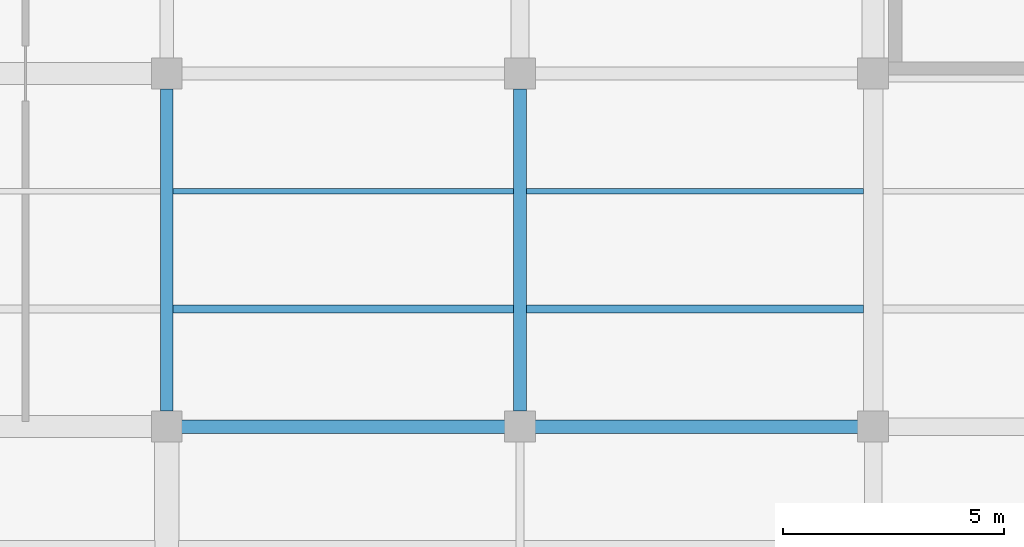
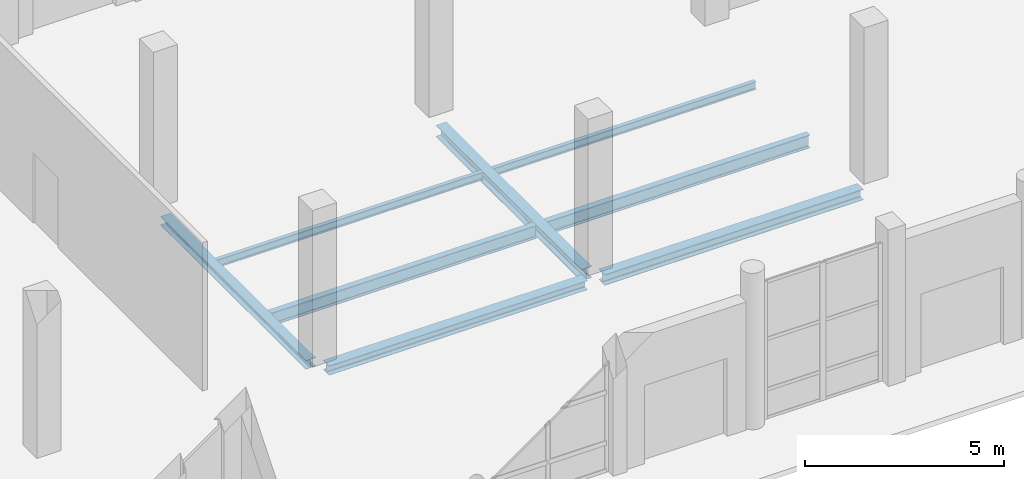
# One storey, part 9 of 156: 8 beams.
"""IFC4 building model written with IfcOpenShell, lengths in metres."""

from ifc_helpers import new_model, si_unit, direction, frame, origin, origin_2d, place, context, subcontext, project, spatial, i_section, extrude, material, material_profile, profile_set, type_object, element, save


model = new_model("IFC4")

# Units and contexts
model_context = context("Model", 3, precision=1e-05, world=origin(), true_north=direction((0.0, 1.0)))
body_context = subcontext(model_context, "Body", "Model", "MODEL_VIEW")
ifc_project = project(units=[si_unit("LENGTHUNIT", "METRE"), si_unit("AREAUNIT", "SQUARE_METRE"), si_unit("VOLUMEUNIT", "CUBIC_METRE"), si_unit("PLANEANGLEUNIT", "RADIAN"), si_unit("MASSUNIT", "GRAM", prefix="KILO")], contexts=[model_context])

# Site, building, storey
site_placement = place(None, origin())
site = spatial("IfcSite", under=ifc_project, at=site_placement, CompositionType="ELEMENT")
building_placement = place(site_placement, origin())
building = spatial("IfcBuilding", under=site, at=building_placement, Name="Luwemba Playhouse", CompositionType="ELEMENT")
storey_placement = place(building_placement, origin())
storey = spatial("IfcBuildingStorey", under=building, at=storey_placement, Name="L00", CompositionType="ELEMENT", Elevation=0.0)

# Beams
ifc_material = material(Name="Steel S355", Category="steel")
ifc_material_profile_1 = material_profile(ifc_material, i_section(OverallWidth=0.280029296875, OverallDepth=0.27001953125, WebThickness=0.008056640625, FlangeThickness=0.012939453125, FilletRadius=0.02392578125, at=origin_2d()))
ifc_profile_set_1 = profile_set([ifc_material_profile_1], Name="Steel S355")
beam_type_1 = type_object("IfcBeamType", Name="BM-SB02", PredefinedType="BEAM", material=ifc_profile_set_1)
beam_1_placement = place(storey_placement, frame((20.0, 11.35009765625, -0.43505859375), z_axis=(0.0, 1.0, 0.0), x_axis=(-1.0, 0.0, 0.0)))
element("IfcBeam", 1, at=beam_1_placement, inside=storey, type_object=beam_type_1, Name="L00 transverse girder 0185", PredefinedType="BEAM", context=body_context, shape_type="SweptSolid", body=[
    extrude(i_section(OverallWidth=0.280029296875, OverallDepth=0.27001953125, WebThickness=0.008056640625, FlangeThickness=0.012939453125, FilletRadius=0.02392578125, at=origin_2d()), origin(), (0.0, 0.0, 1.0), 7.2998046875),
])
ifc_material_profile_2 = material_profile(ifc_material, i_section(OverallWidth=0.300048828125, OverallDepth=0.2900390625, WebThickness=0.008544921875, FlangeThickness=0.013916015625, FilletRadius=0.027099609375, at=origin_2d()))
ifc_profile_set_2 = profile_set([ifc_material_profile_2], Name="Steel S355")
beam_type_2 = type_object("IfcBeamType", Name="BM-SB03", PredefinedType="BEAM", material=ifc_profile_set_2)
beam_2_placement = place(storey_placement, frame((20.25, 11.0, -0.445068359375), z_axis=(1.0, 0.0, 0.0), x_axis=(0.0, 1.0, 0.0)))
element("IfcBeam", 2, at=beam_2_placement, inside=storey, type_object=beam_type_2, Name="L00 grid girder 0159", PredefinedType="BEAM", context=body_context, shape_type="SweptSolid", body=[
    extrude(i_section(OverallWidth=0.300048828125, OverallDepth=0.2900390625, WebThickness=0.008544921875, FlangeThickness=0.013916015625, FilletRadius=0.027099609375, at=origin_2d()), origin(), (0.0, 0.0, 1.0), 7.5),
])
ifc_material_profile_3 = material_profile(ifc_material, i_section(OverallWidth=0.300048828125, OverallDepth=0.330078125, WebThickness=0.009521484375, FlangeThickness=0.0166015625, FilletRadius=0.027099609375, at=origin_2d()))
ifc_profile_set_3 = profile_set([ifc_material_profile_3], Name="Steel S355")
beam_type_3 = type_object("IfcBeamType", Name="BM-SB04", PredefinedType="BEAM", material=ifc_profile_set_3)
beam_3_placement = place(storey_placement, frame((28.25, 11.0, -0.465087890625), z_axis=(1.0, 0.0, 0.0), x_axis=(0.0, 1.0, 0.0)))
element("IfcBeam", 3, at=beam_3_placement, inside=storey, type_object=beam_type_3, Name="L00 grid girder 0160", PredefinedType="BEAM", context=body_context, shape_type="SweptSolid", body=[
    extrude(i_section(OverallWidth=0.300048828125, OverallDepth=0.330078125, WebThickness=0.009521484375, FlangeThickness=0.0166015625, FilletRadius=0.027099609375, at=origin_2d()), origin(), (0.0, 0.0, 1.0), 7.5),
])
ifc_material_profile_4 = material_profile(ifc_material, i_section(OverallWidth=0.300048828125, OverallDepth=0.360107421875, WebThickness=0.012451171875, FlangeThickness=0.0224609375, FilletRadius=0.027099609375, at=origin_2d()))
ifc_profile_set_4 = profile_set([ifc_material_profile_4], Name="Steel S355")
beam_type_4 = type_object("IfcBeamType", Name="BM-SB09", PredefinedType="BEAM", material=ifc_profile_set_4)
beam_4_placement = place(storey_placement, frame((28.0, 11.35009765625, -0.47998046875), z_axis=(0.0, 1.0, 0.0), x_axis=(-1.0, 0.0, 0.0)))
element("IfcBeam", 4, at=beam_4_placement, inside=storey, type_object=beam_type_4, Name="L00 transverse girder 0188", PredefinedType="BEAM", context=body_context, shape_type="SweptSolid", body=[
    extrude(i_section(OverallWidth=0.300048828125, OverallDepth=0.360107421875, WebThickness=0.012451171875, FlangeThickness=0.0224609375, FilletRadius=0.027099609375, at=origin_2d()), origin(), (0.0, 0.0, 1.0), 7.2998046875),
])
ifc_material_profile_5 = material_profile(ifc_material, i_section(OverallWidth=0.1201171875, OverallDepth=0.239990234375, WebThickness=0.006103515625, FlangeThickness=0.009765625, FilletRadius=0.014892578125, at=origin_2d()))
ifc_profile_set_5 = profile_set([ifc_material_profile_5], Name="Steel S355")
beam_type_5 = type_object("IfcBeamType", Name="BM-SJ03", PredefinedType="JOIST", material=ifc_profile_set_5)
beam_5_placement = place(storey_placement, frame((20.135986328125, 16.333251953125, -0.419921875), z_axis=(1.0, 0.0, 0.0), x_axis=(0.0, 1.0, 0.0)))
element("IfcBeam", 5, at=beam_5_placement, inside=storey, type_object=beam_type_5, Name="L00 composite floor joist 0131", PredefinedType="JOIST", context=body_context, shape_type="SweptSolid", body=[
    extrude(i_section(OverallWidth=0.1201171875, OverallDepth=0.239990234375, WebThickness=0.006103515625, FlangeThickness=0.009765625, FilletRadius=0.014892578125, at=origin_2d()), origin(), (0.0, 0.0, 1.0), 7.718017578125),
])
beam_6_placement = place(storey_placement, frame((28.14599609375, 16.333251953125, -0.419921875), z_axis=(1.0, 0.0, 0.0), x_axis=(0.0, 1.0, 0.0)))
element("IfcBeam", 6, at=beam_6_placement, inside=storey, type_object=beam_type_5, Name="L00 composite floor joist 0137", PredefinedType="JOIST", context=body_context, shape_type="SweptSolid", body=[
    extrude(i_section(OverallWidth=0.1201171875, OverallDepth=0.239990234375, WebThickness=0.006103515625, FlangeThickness=0.009765625, FilletRadius=0.014892578125, at=origin_2d()), origin(), (0.0, 0.0, 1.0), 7.633056640625),
])
ifc_material_profile_6 = material_profile(ifc_material, i_section(OverallWidth=0.179931640625, OverallDepth=0.39990234375, WebThickness=0.008544921875, FlangeThickness=0.013427734375, FilletRadius=0.02099609375, at=origin_2d()))
ifc_profile_set_6 = profile_set([ifc_material_profile_6], Name="Steel S355")
beam_type_6 = type_object("IfcBeamType", Name="BM-SJ08", PredefinedType="JOIST", material=ifc_profile_set_6)
beam_7_placement = place(storey_placement, frame((20.135986328125, 13.666748046875, -0.5), z_axis=(1.0, 0.0, 0.0), x_axis=(0.0, 1.0, 0.0)))
element("IfcBeam", 7, at=beam_7_placement, inside=storey, type_object=beam_type_6, Name="L00 composite floor joist 0130", PredefinedType="JOIST", context=body_context, shape_type="SweptSolid", body=[
    extrude(i_section(OverallWidth=0.179931640625, OverallDepth=0.39990234375, WebThickness=0.008544921875, FlangeThickness=0.013427734375, FilletRadius=0.02099609375, at=origin_2d()), origin(), (0.0, 0.0, 1.0), 7.718017578125),
])
beam_8_placement = place(storey_placement, frame((28.14599609375, 13.666748046875, -0.5), z_axis=(1.0, 0.0, 0.0), x_axis=(0.0, 1.0, 0.0)))
element("IfcBeam", 8, at=beam_8_placement, inside=storey, type_object=beam_type_6, Name="L00 composite floor joist 0136", PredefinedType="JOIST", context=body_context, shape_type="SweptSolid", body=[
    extrude(i_section(OverallWidth=0.179931640625, OverallDepth=0.39990234375, WebThickness=0.008544921875, FlangeThickness=0.013427734375, FilletRadius=0.02099609375, at=origin_2d()), origin(), (0.0, 0.0, 1.0), 7.633056640625),
])

save(model, "model.ifc")
